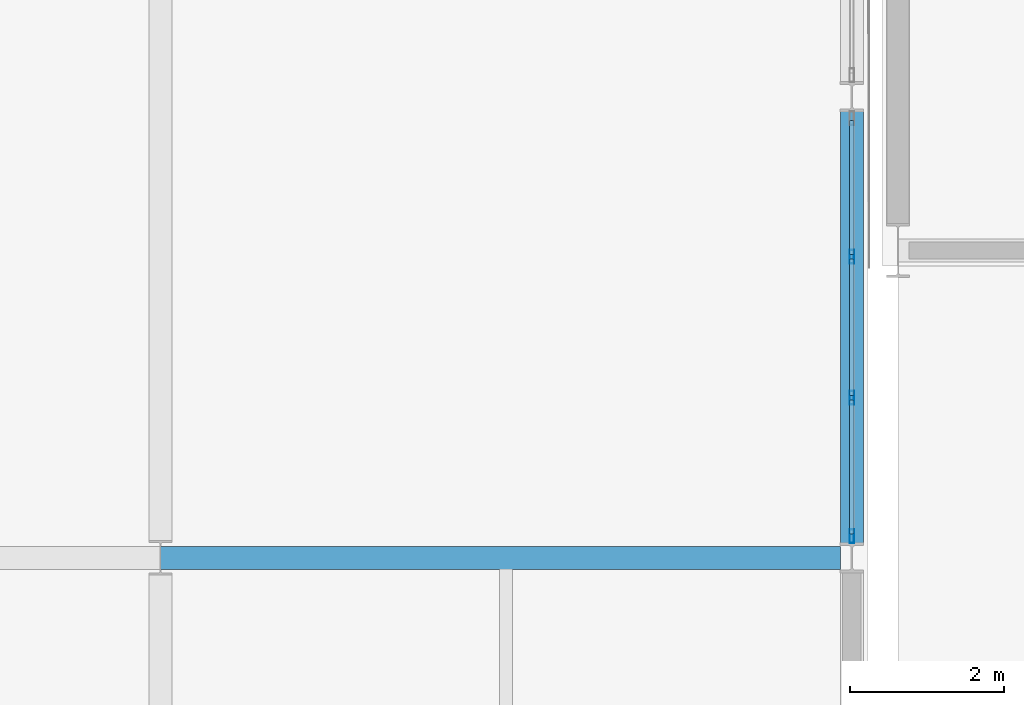
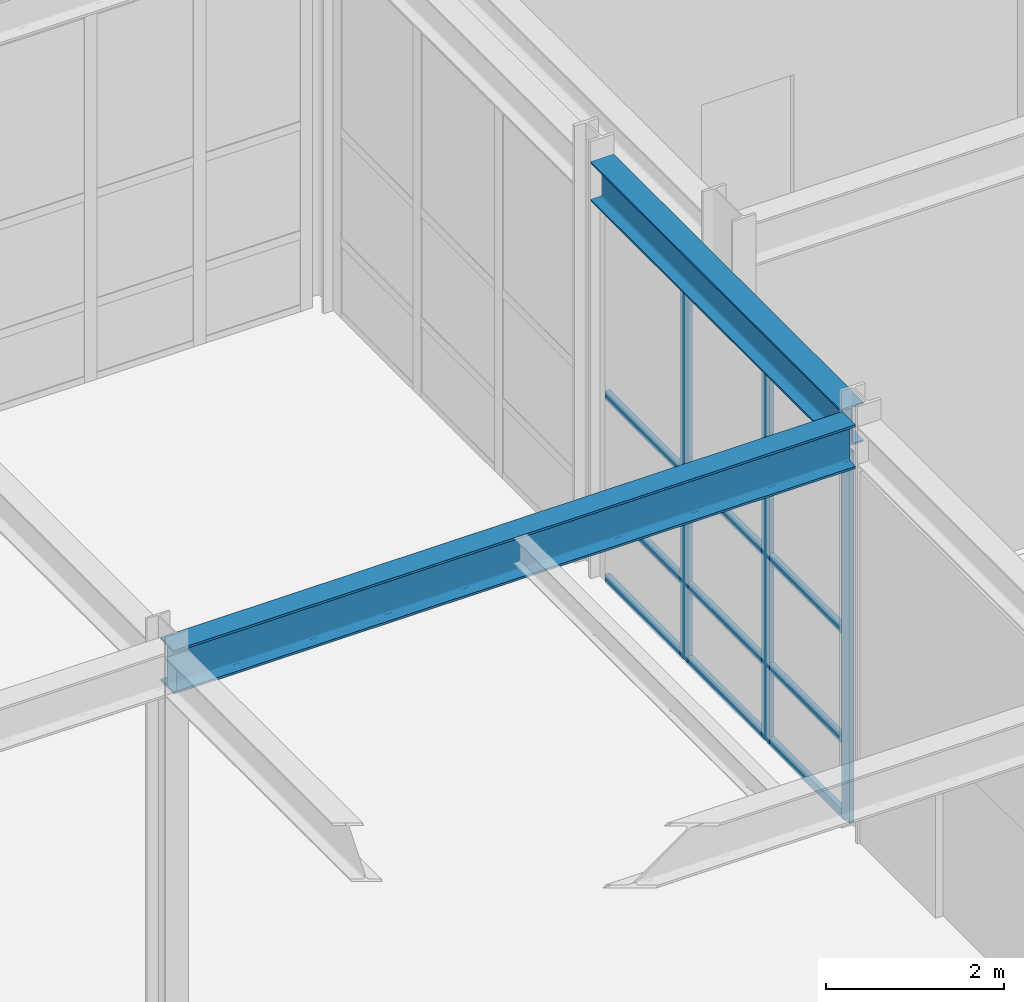
# One storey, part 43 of 146: 15 members, 2 beams, 1 element without a shape of its own.
"""IFC4 building model written with IfcOpenShell, lengths in metres."""

from ifc_helpers import new_model, si_unit, direction, frame, origin, origin_2d, place, context, subcontext, project, spatial, hollow_rectangle, i_section, extrude, material, material_profile, profile_set, type_object, element, aggregate, save


model = new_model("IFC4")

# Units and contexts
model_context = context("Model", 3, precision=1e-05, world=origin(), true_north=direction((0.0, 1.0)))
body_context = subcontext(model_context, "Body", "Model", "MODEL_VIEW")
ifc_project = project(units=[si_unit("LENGTHUNIT", "METRE"), si_unit("AREAUNIT", "SQUARE_METRE"), si_unit("VOLUMEUNIT", "CUBIC_METRE"), si_unit("PLANEANGLEUNIT", "RADIAN"), si_unit("MASSUNIT", "GRAM", prefix="KILO")], contexts=[model_context])

# Site, building, storey
site_placement = place(None, origin())
site = spatial("IfcSite", under=ifc_project, at=site_placement, CompositionType="ELEMENT")
building_placement = place(site_placement, origin())
building = spatial("IfcBuilding", under=site, at=building_placement, Name="Kaldris Quays Convention Centre", CompositionType="ELEMENT")
storey_placement = place(building_placement, origin())
storey = spatial("IfcBuildingStorey", under=building, at=storey_placement, Name="L00", CompositionType="ELEMENT", Elevation=0.0)

# Curtain wall, members
ifc_material_1 = material(Name="Anodized aluminium AW-6060 and triple glazing", Category="aluminium")
curtain_wall_type = type_object("IfcCurtainWallType", Name="UNITISED CURTAIN WALL CW05", PredefinedType="NOTDEFINED", material=ifc_material_1)
curtain_wall_placement = place(storey_placement, origin())
curtain_wall = element("IfcCurtainWall", 1, at=curtain_wall_placement, inside=storey, type_object=curtain_wall_type, Name="L00 Unitised Curtain Wall CW05 56", PredefinedType="NOTDEFINED")
ifc_material_2 = material(Name="Anodized aluminium AW-6060", Category="aluminium")
ifc_material_profile_1 = material_profile(ifc_material_2, hollow_rectangle(XDim=0.06005859375, YDim=0.179931640625, WallThickness=0.0048828125, at=origin_2d()), Name="RHS 180x60x5")
ifc_profile_set_1 = profile_set([ifc_material_profile_1], Name="Anodized aluminium AW-6060")
member_type_1 = type_object("IfcMemberType", Name="CURTAIN MULLION CWM2", PredefinedType="MULLION", material=ifc_profile_set_1)
member_1_placement = place(storey_placement, frame((83.0, 34.280029296875, 0.0), z_axis=(0.0, 0.0, 1.0), x_axis=(-1.0, 0.0, 0.0)))
member_1 = element("IfcMember", 2, at=member_1_placement, type_object=member_type_1, Name="CW05 mullion 1", PredefinedType="MULLION", context=body_context, shape_type="SweptSolid", body=[
    extrude(hollow_rectangle(XDim=0.06005859375, YDim=0.179931640625, WallThickness=0.0048828125, at=origin_2d()), origin(), (0.0, 0.0, 1.0), 5.097900390625),
])
member_2_placement = place(storey_placement, frame((83.0, 36.083251953125, 0.0), z_axis=(0.0, 0.0, 1.0), x_axis=(-1.0, 0.0, 0.0)))
member_2 = element("IfcMember", 3, at=member_2_placement, type_object=member_type_1, Name="CW05 mullion 2", PredefinedType="MULLION", context=body_context, shape_type="SweptSolid", body=[
    extrude(hollow_rectangle(XDim=0.06005859375, YDim=0.179931640625, WallThickness=0.0048828125, at=origin_2d()), origin(), (0.0, 0.0, 1.0), 5.097900390625),
])
member_3_placement = place(storey_placement, frame((83.0, 37.916748046875, 0.0), z_axis=(0.0, 0.0, 1.0), x_axis=(-1.0, 0.0, 0.0)))
member_3 = element("IfcMember", 4, at=member_3_placement, type_object=member_type_1, Name="CW05 mullion 3", PredefinedType="MULLION", context=body_context, shape_type="SweptSolid", body=[
    extrude(hollow_rectangle(XDim=0.06005859375, YDim=0.179931640625, WallThickness=0.0048828125, at=origin_2d()), origin(), (0.0, 0.0, 1.0), 5.097900390625),
])
ifc_material_profile_2 = material_profile(ifc_material_2, hollow_rectangle(XDim=0.06005859375, YDim=0.1201171875, WallThickness=0.00390625, at=origin_2d()), Name="RHS 120x60x4")
ifc_profile_set_2 = profile_set([ifc_material_profile_2], Name="Anodized aluminium AW-6060")
member_type_2 = type_object("IfcMemberType", Name="CURTAIN TRANSOM CWT1", PredefinedType="USERDEFINED", material=ifc_profile_set_2)
member_4_placement = place(storey_placement, frame((83.0, 34.31005859375, 0.030029296875), z_axis=(0.0, 1.0, 0.0), x_axis=(-1.0, 0.0, 0.0)))
member_4 = element("IfcMember", 5, at=member_4_placement, type_object=member_type_2, Name="CW05 transom 1.1", ObjectType="TRANSOM", PredefinedType="USERDEFINED", context=body_context, shape_type="SweptSolid", body=[
    extrude(hollow_rectangle(XDim=0.06005859375, YDim=0.1201171875, WallThickness=0.00390625, at=origin_2d()), origin(), (0.0, 0.0, 1.0), 1.7431640625),
])
member_5_placement = place(storey_placement, frame((83.0, 34.31005859375, 1.050048828125), z_axis=(0.0, 1.0, 0.0), x_axis=(-1.0, 0.0, 0.0)))
member_5 = element("IfcMember", 6, at=member_5_placement, type_object=member_type_2, Name="CW05 transom 1.2", ObjectType="TRANSOM", PredefinedType="USERDEFINED", context=body_context, shape_type="SweptSolid", body=[
    extrude(hollow_rectangle(XDim=0.06005859375, YDim=0.1201171875, WallThickness=0.00390625, at=origin_2d()), origin(), (0.0, 0.0, 1.0), 1.7431640625),
])
member_6_placement = place(storey_placement, frame((83.0, 34.31005859375, 2.549072265625), z_axis=(0.0, 1.0, 0.0), x_axis=(-1.0, 0.0, 0.0)))
member_6 = element("IfcMember", 7, at=member_6_placement, type_object=member_type_2, Name="CW05 transom 1.3", ObjectType="TRANSOM", PredefinedType="USERDEFINED", context=body_context, shape_type="SweptSolid", body=[
    extrude(hollow_rectangle(XDim=0.06005859375, YDim=0.1201171875, WallThickness=0.00390625, at=origin_2d()), origin(), (0.0, 0.0, 1.0), 1.7431640625),
])
member_7_placement = place(storey_placement, frame((83.0, 34.31005859375, 5.068115234375), z_axis=(0.0, 1.0, 0.0), x_axis=(-1.0, 0.0, 0.0)))
member_7 = element("IfcMember", 8, at=member_7_placement, type_object=member_type_2, Name="CW05 transom 1.4", ObjectType="TRANSOM", PredefinedType="USERDEFINED", context=body_context, shape_type="SweptSolid", body=[
    extrude(hollow_rectangle(XDim=0.06005859375, YDim=0.1201171875, WallThickness=0.00390625, at=origin_2d()), origin(), (0.0, 0.0, 1.0), 1.7431640625),
])
member_8_placement = place(storey_placement, frame((83.0, 36.11328125, 0.030029296875), z_axis=(0.0, 1.0, 0.0), x_axis=(-1.0, 0.0, 0.0)))
member_8 = element("IfcMember", 9, at=member_8_placement, type_object=member_type_2, Name="CW05 transom 2.1", ObjectType="TRANSOM", PredefinedType="USERDEFINED", context=body_context, shape_type="SweptSolid", body=[
    extrude(hollow_rectangle(XDim=0.06005859375, YDim=0.1201171875, WallThickness=0.00390625, at=origin_2d()), origin(), (0.0, 0.0, 1.0), 1.7734375),
])
member_9_placement = place(storey_placement, frame((83.0, 36.11328125, 1.050048828125), z_axis=(0.0, 1.0, 0.0), x_axis=(-1.0, 0.0, 0.0)))
member_9 = element("IfcMember", 10, at=member_9_placement, type_object=member_type_2, Name="CW05 transom 2.2", ObjectType="TRANSOM", PredefinedType="USERDEFINED", context=body_context, shape_type="SweptSolid", body=[
    extrude(hollow_rectangle(XDim=0.06005859375, YDim=0.1201171875, WallThickness=0.00390625, at=origin_2d()), origin(), (0.0, 0.0, 1.0), 1.7734375),
])
member_10_placement = place(storey_placement, frame((83.0, 36.11328125, 2.549072265625), z_axis=(0.0, 1.0, 0.0), x_axis=(-1.0, 0.0, 0.0)))
member_10 = element("IfcMember", 11, at=member_10_placement, type_object=member_type_2, Name="CW05 transom 2.3", ObjectType="TRANSOM", PredefinedType="USERDEFINED", context=body_context, shape_type="SweptSolid", body=[
    extrude(hollow_rectangle(XDim=0.06005859375, YDim=0.1201171875, WallThickness=0.00390625, at=origin_2d()), origin(), (0.0, 0.0, 1.0), 1.7734375),
])
member_11_placement = place(storey_placement, frame((83.0, 36.11328125, 5.068115234375), z_axis=(0.0, 1.0, 0.0), x_axis=(-1.0, 0.0, 0.0)))
member_11 = element("IfcMember", 12, at=member_11_placement, type_object=member_type_2, Name="CW05 transom 2.4", ObjectType="TRANSOM", PredefinedType="USERDEFINED", context=body_context, shape_type="SweptSolid", body=[
    extrude(hollow_rectangle(XDim=0.06005859375, YDim=0.1201171875, WallThickness=0.00390625, at=origin_2d()), origin(), (0.0, 0.0, 1.0), 1.7734375),
])
member_12_placement = place(storey_placement, frame((83.0, 37.94677734375, 0.030029296875), z_axis=(0.0, 1.0, 0.0), x_axis=(-1.0, 0.0, 0.0)))
member_12 = element("IfcMember", 13, at=member_12_placement, type_object=member_type_2, Name="CW05 transom 3.1", ObjectType="TRANSOM", PredefinedType="USERDEFINED", context=body_context, shape_type="SweptSolid", body=[
    extrude(hollow_rectangle(XDim=0.06005859375, YDim=0.1201171875, WallThickness=0.00390625, at=origin_2d()), origin(), (0.0, 0.0, 1.0), 1.7431640625),
])
member_13_placement = place(storey_placement, frame((83.0, 37.94677734375, 1.050048828125), z_axis=(0.0, 1.0, 0.0), x_axis=(-1.0, 0.0, 0.0)))
member_13 = element("IfcMember", 14, at=member_13_placement, type_object=member_type_2, Name="CW05 transom 3.2", ObjectType="TRANSOM", PredefinedType="USERDEFINED", context=body_context, shape_type="SweptSolid", body=[
    extrude(hollow_rectangle(XDim=0.06005859375, YDim=0.1201171875, WallThickness=0.00390625, at=origin_2d()), origin(), (0.0, 0.0, 1.0), 1.7431640625),
])
member_14_placement = place(storey_placement, frame((83.0, 37.94677734375, 2.549072265625), z_axis=(0.0, 1.0, 0.0), x_axis=(-1.0, 0.0, 0.0)))
member_14 = element("IfcMember", 15, at=member_14_placement, type_object=member_type_2, Name="CW05 transom 3.3", ObjectType="TRANSOM", PredefinedType="USERDEFINED", context=body_context, shape_type="SweptSolid", body=[
    extrude(hollow_rectangle(XDim=0.06005859375, YDim=0.1201171875, WallThickness=0.00390625, at=origin_2d()), origin(), (0.0, 0.0, 1.0), 1.7431640625),
])
member_15_placement = place(storey_placement, frame((83.0, 37.94677734375, 5.068115234375), z_axis=(0.0, 1.0, 0.0), x_axis=(-1.0, 0.0, 0.0)))
member_15 = element("IfcMember", 16, at=member_15_placement, type_object=member_type_2, Name="CW05 transom 3.4", ObjectType="TRANSOM", PredefinedType="USERDEFINED", context=body_context, shape_type="SweptSolid", body=[
    extrude(hollow_rectangle(XDim=0.06005859375, YDim=0.1201171875, WallThickness=0.00390625, at=origin_2d()), origin(), (0.0, 0.0, 1.0), 1.7431640625),
])
aggregate(curtain_wall, [member_1, member_2, member_3, member_4, member_5, member_6, member_7, member_8, member_9, member_10, member_11, member_12, member_13, member_14, member_15])

# Beams
ifc_material_3 = material(Name="Steel S355J2", Category="steel")
ifc_material_profile_3 = material_profile(ifc_material_3, i_section(OverallWidth=0.300048828125, OverallDepth=0.60009765625, WebThickness=0.015380859375, FlangeThickness=0.030029296875, FilletRadius=0.027099609375, at=origin_2d()), Name="HEB 600")
ifc_profile_set_3 = profile_set([ifc_material_profile_3], Name="Steel S355J2")
beam_type_1 = type_object("IfcBeamType", Name="STRUCTURAL BEAM BM05", PredefinedType="BEAM", material=ifc_profile_set_3)
beam_1_placement = place(storey_placement, frame((74.0009765625, 34.0, 5.423095703125), z_axis=(1.0, 0.0, 0.0), x_axis=(0.0, 1.0, 0.0)))
element("IfcBeam", 17, at=beam_1_placement, inside=storey, type_object=beam_type_1, Name="L00 Girder BM05 19", PredefinedType="BEAM", context=body_context, shape_type="SweptSolid", body=[
    extrude(i_section(OverallWidth=0.300048828125, OverallDepth=0.60009765625, WebThickness=0.015380859375, FlangeThickness=0.030029296875, FilletRadius=0.027099609375, at=origin_2d()), origin(), (0.0, 0.0, 1.0), 8.85107421875),
])
ifc_material_profile_4 = material_profile(ifc_material_3, i_section(OverallWidth=0.300048828125, OverallDepth=0.5400390625, WebThickness=0.012451171875, FlangeThickness=0.02392578125, FilletRadius=0.027099609375, at=origin_2d()), Name="HEA 550")
ifc_profile_set_4 = profile_set([ifc_material_profile_4], Name="Steel S355J2")
beam_type_2 = type_object("IfcBeamType", Name="STRUCTURAL BEAM BM13", PredefinedType="BEAM", material=ifc_profile_set_4)
beam_2_placement = place(storey_placement, frame((83.0, 34.19140625, 5.452880859375), z_axis=(0.0, 1.0, 0.0), x_axis=(-1.0, 0.0, 0.0)))
element("IfcBeam", 18, at=beam_2_placement, inside=storey, type_object=beam_type_2, Name="L00 Girder BM13 47", PredefinedType="BEAM", context=body_context, shape_type="SweptSolid", body=[
    extrude(i_section(OverallWidth=0.300048828125, OverallDepth=0.5400390625, WebThickness=0.012451171875, FlangeThickness=0.02392578125, FilletRadius=0.027099609375, at=origin_2d()), origin(), (0.0, 0.0, 1.0), 5.6171875),
])

save(model, "model.ifc")
